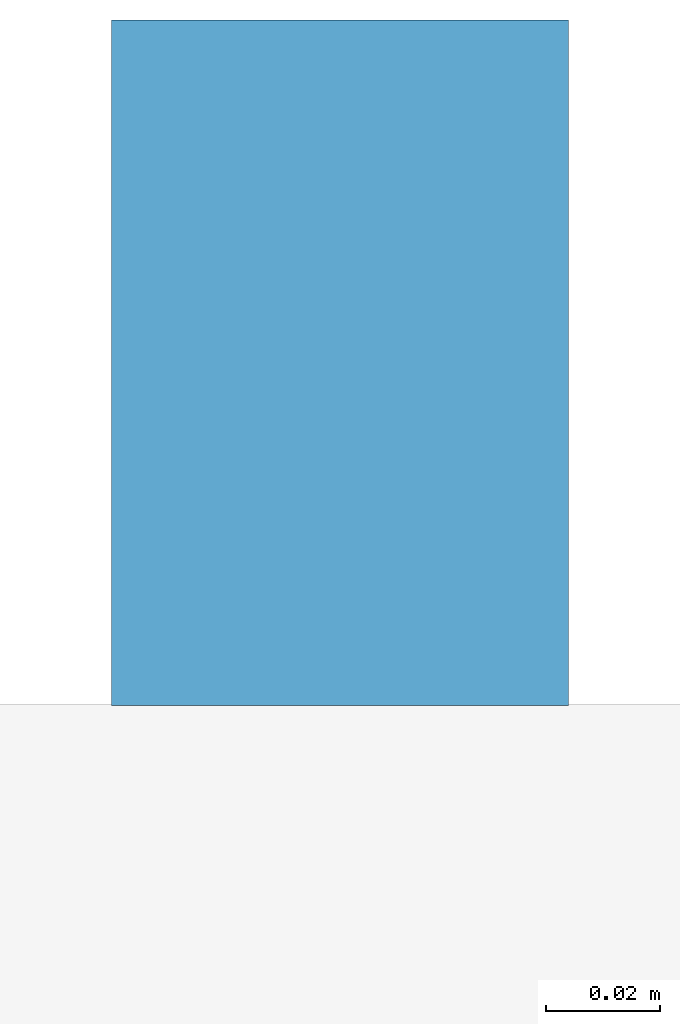
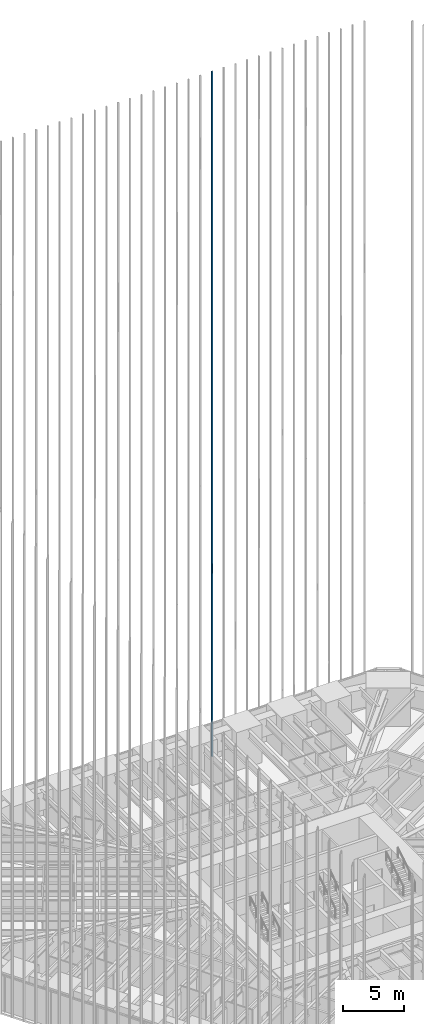
# One storey, part 217 of 256: 1 member, 1 element without a shape of its own.
"""IFC4 building model written with IfcOpenShell, lengths in metres."""

from ifc_helpers import new_model, si_unit, direction, frame, origin, origin_2d, place, context, subcontext, project, spatial, rectangle, extrude, material, material_profile, profile_set, type_object, element, aggregate, save


model = new_model("IFC4")

# Units and contexts
model_context = context("Model", 3, precision=1e-05, world=origin(), true_north=direction((0.0, 1.0)))
body_context = subcontext(model_context, "Body", "Model", "MODEL_VIEW")
ifc_project = project(units=[si_unit("LENGTHUNIT", "METRE"), si_unit("AREAUNIT", "SQUARE_METRE"), si_unit("VOLUMEUNIT", "CUBIC_METRE"), si_unit("PLANEANGLEUNIT", "RADIAN"), si_unit("MASSUNIT", "GRAM", prefix="KILO")], contexts=[model_context])

# Site, building, storey
site_placement = place(None, origin())
site = spatial("IfcSite", under=ifc_project, at=site_placement, CompositionType="ELEMENT")
building_placement = place(site_placement, origin())
building = spatial("IfcBuilding", under=site, at=building_placement, Name="Sandreach Pilgrim Tower", CompositionType="ELEMENT")
storey_placement = place(building_placement, frame((0.0, 0.0, 23.0)))
storey = spatial("IfcBuildingStorey", under=building, at=storey_placement, Name="L04", CompositionType="ELEMENT", Elevation=23.0)

# Curtain wall, member
ifc_material_1 = material(Name="Aluminium framed curtain wall", Category="aluminium")
curtain_wall_type = type_object("IfcCurtainWallType", Name="Hostel tower curtain wall", PredefinedType="NOTDEFINED", material=ifc_material_1)
curtain_wall_placement = place(storey_placement, origin())
curtain_wall = element("IfcCurtainWall", 1, at=curtain_wall_placement, inside=storey, type_object=curtain_wall_type, Name="CW-1 L04 N", PredefinedType="NOTDEFINED")
ifc_material_2 = material(Name="Extruded terracotta on aluminium core", Category="masonry")
ifc_material_profile = material_profile(ifc_material_2, rectangle(XDim=0.080078125, YDim=0.1201171875, at=origin_2d()), Name="TBN 80X120")
ifc_profile_set = profile_set([ifc_material_profile], Name="Extruded terracotta on aluminium core")
member_type = type_object("IfcMemberType", Name="Terracotta baguette north", PredefinedType="USERDEFINED", material=ifc_profile_set)
member_placement = place(storey_placement, frame((4.417724609375, 24.30859375, 0.0), z_axis=(0.0, 0.0, 1.0), x_axis=(1.0, 0.0, 0.0)))
member = element("IfcMember", 2, at=member_placement, type_object=member_type, Name="Baguette Z1 N22", ObjectType="BAGUETTE", PredefinedType="USERDEFINED", context=body_context, shape_type="SweptSolid", body=[
    extrude(rectangle(XDim=0.080078125, YDim=0.1201171875, at=origin_2d()), origin(), (0.0, 0.0, 1.0), 68.239990234375),
])
aggregate(curtain_wall, [member])

save(model, "model.ifc")
